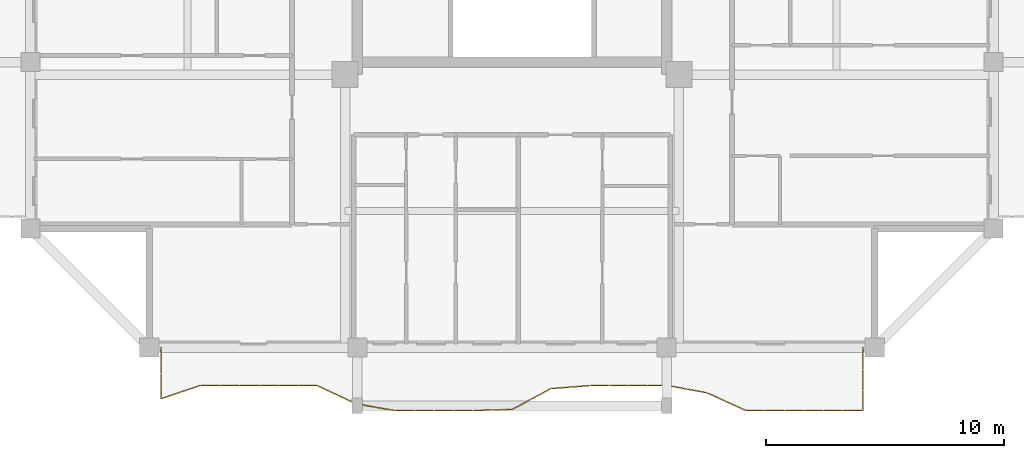
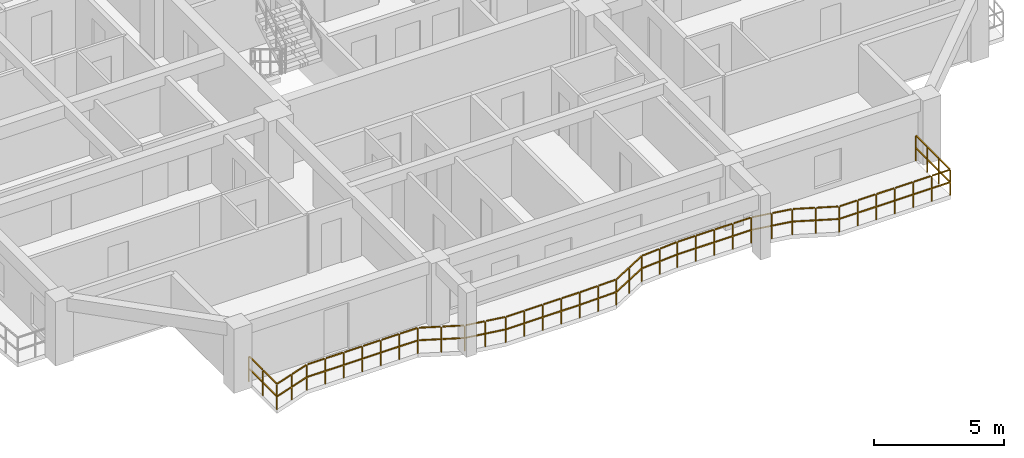
# One storey, part 9 of 13: 1 railing.
"""IFC4 building model written with IfcOpenShell, lengths in metres."""

import ifcopenshell
import ifcopenshell.guid

model = None  # the IFC model being written
_history = None  # IfcOwnerHistory: only IFC2X3 demands one
_inside = {}  # id of a spatial element -> (the spatial element, [elements in it])
_under = {}  # id of a project, library or spatial element -> (it, [spatial elements below it])
_declared = {}  # id of a project -> (the project, [libraries it declares])
_typed = {}  # id of a type object -> (the type object, [elements of that type])
_made_of = {}  # id of a material, layer set ... -> (it, [elements and type objects made of it])


def new_model(schema):
    """Start an empty IFC model of exactly this schema.

    Asked for "IFC4X3", IfcOpenShell would pick the latest addendum, in which some entities
    have other attributes; the version numbers below select the first issue.
    IFC2X3 requires an IfcOwnerHistory on every rooted entity: one is made here for all.
    """
    global model, _history
    if schema == "IFC4X3":
        model = ifcopenshell.file(schema_version=(4, 3, 0, 0))
    else:
        model = ifcopenshell.file(schema=schema)
    _inside.clear()
    _under.clear()
    _declared.clear()
    _typed.clear()
    _made_of.clear()
    _history = None
    if model.schema == "IFC2X3":
        org = make("IfcOrganization", Name="unknown")
        user = make(
            "IfcPersonAndOrganization",
            ThePerson=make("IfcPerson", FamilyName="unknown"),
            TheOrganization=org,
        )
        app = make(
            "IfcApplication",
            ApplicationDeveloper=org,
            Version="unknown",
            ApplicationFullName="unknown",
            ApplicationIdentifier="unknown",
        )
        _history = make(
            "IfcOwnerHistory",
            OwningUser=user,
            OwningApplication=app,
            ChangeAction="ADDED",
            CreationDate=0,
        )
    return model


def make(cls, **values):
    """One entity of the class cls with the attributes given. An attribute that is None is left unset."""
    return model.create_entity(
        cls, **{name: value for name, value in values.items() if value is not None}
    )


def rooted(cls, **values):
    """An entity with a GlobalId (a new one), such as an element, a storey or a relation."""
    return make(cls, GlobalId=ifcopenshell.guid.new(), OwnerHistory=_history, **values)


def si_unit(unit_type, name, prefix=None):
    """IfcSIUnit, for example si_unit("LENGTHUNIT", "METRE", prefix="MILLI")."""
    return make("IfcSIUnit", UnitType=unit_type, Prefix=prefix, Name=name)


def assignment(units):
    """IfcUnitAssignment: the units of a project."""
    return None if units is None else make("IfcUnitAssignment", Units=units)


def point(xyz):
    """IfcCartesianPoint."""
    return None if xyz is None else make("IfcCartesianPoint", Coordinates=xyz)


def direction(xyz):
    """IfcDirection."""
    return None if xyz is None else make("IfcDirection", DirectionRatios=xyz)


def frame(location, z_axis=None, x_axis=None):
    """IfcAxis2Placement3D, a coordinate frame: its origin and axes. An axis left out is left unset."""
    return make(
        "IfcAxis2Placement3D",
        Location=point(location),
        Axis=direction(z_axis),
        RefDirection=direction(x_axis),
    )


def frame_2d(location, x_axis=None):
    """IfcAxis2Placement2D, a coordinate frame in the plane: its origin and x axis."""
    return make(
        "IfcAxis2Placement2D", Location=point(location), RefDirection=direction(x_axis)
    )


def origin():
    """The frame at (0, 0, 0) with its axes left unset."""
    return frame((0.0, 0.0, 0.0))


def origin_2d():
    """The frame at (0, 0) in the plane with its x axis left unset."""
    return frame_2d((0.0, 0.0))


def place(relative_to, where):
    """IfcLocalPlacement: puts the frame where relative to a parent placement (None: the world)."""
    return make(
        "IfcLocalPlacement", PlacementRelTo=relative_to, RelativePlacement=where
    )


def context(
    kind, dimensions, precision=None, world=None, true_north=None, identifier=None
):
    """IfcGeometricRepresentationContext, for example the 3D "Model" context."""
    return make(
        "IfcGeometricRepresentationContext",
        ContextIdentifier=identifier,
        ContextType=kind,
        CoordinateSpaceDimension=dimensions,
        Precision=precision,
        WorldCoordinateSystem=world,
        TrueNorth=true_north,
    )


def subcontext(parent, identifier, kind, view, scale=None):
    """IfcGeometricRepresentationSubContext, for example "Body" below "Model"."""
    return make(
        "IfcGeometricRepresentationSubContext",
        ContextIdentifier=identifier,
        ContextType=kind,
        ParentContext=parent,
        TargetScale=scale,
        TargetView=view,
    )


def project(units=None, contexts=None):
    """IfcProject with its units and contexts."""
    return rooted(
        "IfcProject",
        Name="project",
        RepresentationContexts=contexts,
        UnitsInContext=assignment(units),
    )


def spatial(cls, under=None, at=None, **own):
    """A site, building, storey or space (cls), placed at a placement, below another one or the project."""
    s = rooted(cls, ObjectPlacement=at, **own)
    if under is not None:
        _under.setdefault(under.id(), (under, []))[1].append(s)
    return s


def profile(cls, at=None, kind="AREA", **sizes):
    """A parametric profile (cls). Its sizes go by their IFC names, for example OverallWidth=200.0."""
    return make(cls, ProfileType=kind, Position=at, **sizes)


def rectangle(**sizes):
    """IfcRectangleProfileDef."""
    return profile("IfcRectangleProfileDef", **sizes)


def extrude(swept, where, along, depth):
    """IfcExtrudedAreaSolid: the profile swept, set in the frame where, extruded along a direction by depth."""
    return make(
        "IfcExtrudedAreaSolid",
        SweptArea=swept,
        Position=where,
        ExtrudedDirection=direction(along),
        Depth=depth,
    )


def shape(context_of_items, identifier, shape_type, items):
    """IfcShapeRepresentation: the items that make up one representation, for example the "Body"."""
    return make(
        "IfcShapeRepresentation",
        ContextOfItems=context_of_items,
        RepresentationIdentifier=identifier,
        RepresentationType=shape_type,
        Items=items,
    )


def material(Name=None, Category=None):
    """IfcMaterial."""
    return make("IfcMaterial", Name=Name, Category=Category)


def made_of(thing, what):
    """Note that an element or type object is made of a material, layer set ...; save() writes the relation."""
    if what is not None:
        _made_of.setdefault(what.id(), (what, []))[1].append(thing)
    return thing


def type_object(cls, material=None, **own):
    """A type object (cls), such as IfcWallType, which elements share."""
    return made_of(rooted(cls, **own), material)


def element(
    cls,
    number,
    at=None,
    inside=None,
    cuts=None,
    type_object=None,
    material=None,
    context=None,
    identifier="Body",
    shape_type=None,
    held_by="IfcProductDefinitionShape",
    body=None,
    shapes=None,
    **own,
):
    """One element of the class cls, such as IfcWall. Its Tag is "e" and its number.

    at: its placement. inside: the storey or other place that contains it. cuts: it is an
    opening in that element (IfcRelVoidsElement). A single representation is given by context,
    identifier, shape_type and body (its items); several are given by shapes. held_by: the class
    of the entity that holds the representations. save() writes the other relations.
    """
    e = rooted(cls, Tag="e%d" % number, ObjectPlacement=at, **own)
    if body is not None:
        shapes = [shape(context, identifier, shape_type, body)]
    if shapes is not None:
        e.Representation = make(held_by, Representations=shapes)
    if inside is not None:
        _inside.setdefault(inside.id(), (inside, []))[1].append(e)
    if cuts is not None:
        rooted(
            "IfcRelVoidsElement", RelatingBuildingElement=cuts, RelatedOpeningElement=e
        )
    if type_object is not None:
        _typed.setdefault(type_object.id(), (type_object, []))[1].append(e)
    return made_of(e, material)


def aggregate(whole, parts):
    """IfcRelAggregates: a whole, such as a stair, and the parts it consists of."""
    return rooted("IfcRelAggregates", RelatingObject=whole, RelatedObjects=parts)


def save(model, path):
    """Write the relations noted so far, then the file.

    IfcRelAggregates (storeys below a building ...), IfcRelContainedInSpatialStructure (elements
    in a storey), IfcRelDefinesByType, IfcRelAssociatesMaterial and IfcRelDeclares: one each for
    every whole, place, type object, material and project.
    """
    for whole, parts in _under.values():
        aggregate(whole, parts)
    for where, things in _inside.values():
        rooted(
            "IfcRelContainedInSpatialStructure",
            RelatedElements=things,
            RelatingStructure=where,
        )
    for kind, things in _typed.values():
        rooted("IfcRelDefinesByType", RelatedObjects=things, RelatingType=kind)
    for what, things in _made_of.values():
        rooted("IfcRelAssociatesMaterial", RelatedObjects=things, RelatingMaterial=what)
    for by, libraries in _declared.values():
        rooted("IfcRelDeclares", RelatingContext=by, RelatedDefinitions=libraries)
    model.write(path)


model = new_model("IFC4")

# Units and contexts
model_context = context("Model", 3, precision=1e-05, world=origin(), true_north=direction((0.0, 1.0)))
body_context = subcontext(model_context, "Body", "Model", "MODEL_VIEW")
ifc_project = project(units=[si_unit("LENGTHUNIT", "METRE"), si_unit("AREAUNIT", "SQUARE_METRE"), si_unit("VOLUMEUNIT", "CUBIC_METRE"), si_unit("PLANEANGLEUNIT", "RADIAN"), si_unit("MASSUNIT", "GRAM", prefix="KILO")], contexts=[model_context])

# Site, building, storey
site_placement = place(None, origin())
site = spatial("IfcSite", under=ifc_project, at=site_placement, CompositionType="ELEMENT")
building_placement = place(site_placement, origin())
building = spatial("IfcBuilding", under=site, at=building_placement, Name="Saelheon Loggia Tower", CompositionType="ELEMENT")
storey_placement = place(building_placement, frame((0.0, 0.0, 179.800048828125)))
storey = spatial("IfcBuildingStorey", under=building, at=storey_placement, Name="L56", CompositionType="ELEMENT", Elevation=179.800048828125)

# Railing
ifc_material = material(Name="Architectural Precast Concrete and Laminated Glass Guard", Category="concrete")
railing_type = type_object("IfcRailingType", Name="Guard_Loggia_RL_LOG", PredefinedType="BALUSTRADE", material=ifc_material)
railing_placement = place(storey_placement, frame((23.25, 6.0, 0.0)))
element("IfcRailing", 1, at=railing_placement, inside=storey, type_object=railing_type, Name="L56 South Loggia Balustrade", PredefinedType="BALUSTRADE", context=body_context, shape_type="SweptSolid", body=[
    extrude(rectangle(XDim=0.048095703125, YDim=0.048095703125, at=origin_2d()), frame((0.0, -0.033203125, 1.19580078125), z_axis=(0.0, -1.0, 0.0), x_axis=(1.0, 0.0, 0.0)), (0.0, 0.0, 1.0), 1.008544921875),
    extrude(rectangle(XDim=0.048095703125, YDim=0.048095703125, at=origin_2d()), frame((0.0, -0.033203125, 0.60986328125), z_axis=(0.0, -1.0, 0.0), x_axis=(1.0, 0.0, 0.0)), (0.0, 0.0, 1.0), 1.008544921875),
    extrude(rectangle(XDim=0.048095703125, YDim=0.048095703125, at=origin_2d()), frame((0.0, -1.108154296875, 1.19580078125), z_axis=(0.0, -1.0, 0.0), x_axis=(1.0, 0.0, 0.0)), (0.0, 0.0, 1.0), 1.008544921875),
    extrude(rectangle(XDim=0.048095703125, YDim=0.048095703125, at=origin_2d()), frame((0.0, -1.108154296875, 0.60986328125), z_axis=(0.0, -1.0, 0.0), x_axis=(1.0, 0.0, 0.0)), (0.0, 0.0, 1.0), 1.008544921875),
    extrude(rectangle(XDim=0.048095703125, YDim=0.048095703125, at=origin_2d()), frame((0.031494140625, -2.139404296875, 1.19580078125), z_axis=(0.948074261435, 0.318049044652, 0.0), x_axis=(-0.318049044652, 0.948074261435, 0.0)), (0.0, 0.0, 1.0), 0.7978515625),
    extrude(rectangle(XDim=0.048095703125, YDim=0.048095703125, at=origin_2d()), frame((0.031494140625, -2.139404296875, 0.60986328125), z_axis=(0.948074261435, 0.318049044652, 0.0), x_axis=(-0.318049044652, 0.948074261435, 0.0)), (0.0, 0.0, 1.0), 0.7978515625),
    extrude(rectangle(XDim=0.048095703125, YDim=0.048095703125, at=origin_2d()), frame((0.85107421875, -1.864501953125, 1.19580078125), z_axis=(0.948074261435, 0.318049044652, 0.0), x_axis=(-0.318049044652, 0.948074261435, 0.0)), (0.0, 0.0, 1.0), 0.7978515625),
    extrude(rectangle(XDim=0.048095703125, YDim=0.048095703125, at=origin_2d()), frame((0.85107421875, -1.864501953125, 0.60986328125), z_axis=(0.948074261435, 0.318049044652, 0.0), x_axis=(-0.318049044652, 0.948074261435, 0.0)), (0.0, 0.0, 1.0), 0.7978515625),
    extrude(rectangle(XDim=0.048095703125, YDim=0.048095703125, at=origin_2d()), frame((1.672119140625, -1.60009765625, 1.19580078125), z_axis=(1.0, 0.0, 0.0), x_axis=(0.0, 1.0, 0.0)), (0.0, 0.0, 1.0), 0.7529296875),
    extrude(rectangle(XDim=0.048095703125, YDim=0.048095703125, at=origin_2d()), frame((1.672119140625, -1.60009765625, 0.60986328125), z_axis=(1.0, 0.0, 0.0), x_axis=(0.0, 1.0, 0.0)), (0.0, 0.0, 1.0), 0.7529296875),
    extrude(rectangle(XDim=0.048095703125, YDim=0.048095703125, at=origin_2d()), frame((2.49169921875, -1.60009765625, 1.19580078125), z_axis=(1.0, 0.0, 0.0), x_axis=(0.0, 1.0, 0.0)), (0.0, 0.0, 1.0), 0.7529296875),
    extrude(rectangle(XDim=0.048095703125, YDim=0.048095703125, at=origin_2d()), frame((2.49169921875, -1.60009765625, 0.60986328125), z_axis=(1.0, 0.0, 0.0), x_axis=(0.0, 1.0, 0.0)), (0.0, 0.0, 1.0), 0.7529296875),
    extrude(rectangle(XDim=0.048095703125, YDim=0.048095703125, at=origin_2d()), frame((3.31103515625, -1.60009765625, 1.19580078125), z_axis=(1.0, 0.0, 0.0), x_axis=(0.0, 1.0, 0.0)), (0.0, 0.0, 1.0), 0.7529296875),
    extrude(rectangle(XDim=0.048095703125, YDim=0.048095703125, at=origin_2d()), frame((3.31103515625, -1.60009765625, 0.60986328125), z_axis=(1.0, 0.0, 0.0), x_axis=(0.0, 1.0, 0.0)), (0.0, 0.0, 1.0), 0.7529296875),
    extrude(rectangle(XDim=0.048095703125, YDim=0.048095703125, at=origin_2d()), frame((4.130615234375, -1.60009765625, 1.19580078125), z_axis=(1.0, 0.0, 0.0), x_axis=(0.0, 1.0, 0.0)), (0.0, 0.0, 1.0), 0.7529296875),
    extrude(rectangle(XDim=0.048095703125, YDim=0.048095703125, at=origin_2d()), frame((4.130615234375, -1.60009765625, 0.60986328125), z_axis=(1.0, 0.0, 0.0), x_axis=(0.0, 1.0, 0.0)), (0.0, 0.0, 1.0), 0.7529296875),
    extrude(rectangle(XDim=0.048095703125, YDim=0.048095703125, at=origin_2d()), frame((4.949951171875, -1.60009765625, 1.19580078125), z_axis=(1.0, 0.0, 0.0), x_axis=(0.0, 1.0, 0.0)), (0.0, 0.0, 1.0), 0.7529296875),
    extrude(rectangle(XDim=0.048095703125, YDim=0.048095703125, at=origin_2d()), frame((4.949951171875, -1.60009765625, 0.60986328125), z_axis=(1.0, 0.0, 0.0), x_axis=(0.0, 1.0, 0.0)), (0.0, 0.0, 1.0), 0.7529296875),
    extrude(rectangle(XDim=0.048095703125, YDim=0.048095703125, at=origin_2d()), frame((5.76953125, -1.60009765625, 1.19580078125), z_axis=(1.0, 0.0, 0.0), x_axis=(0.0, 1.0, 0.0)), (0.0, 0.0, 1.0), 0.7529296875),
    extrude(rectangle(XDim=0.048095703125, YDim=0.048095703125, at=origin_2d()), frame((5.76953125, -1.60009765625, 0.60986328125), z_axis=(1.0, 0.0, 0.0), x_axis=(0.0, 1.0, 0.0)), (0.0, 0.0, 1.0), 0.7529296875),
    extrude(rectangle(XDim=0.048095703125, YDim=0.048095703125, at=origin_2d()), frame((6.585693359375, -1.614013671875, 1.19580078125), z_axis=(0.90645551616, -0.422301310941, 0.0), x_axis=(0.422301310941, 0.90645551616, 0.0)), (0.0, 0.0, 1.0), 0.83740234375),
    extrude(rectangle(XDim=0.048095703125, YDim=0.048095703125, at=origin_2d()), frame((6.585693359375, -1.614013671875, 0.60986328125), z_axis=(0.90645551616, -0.422301310941, 0.0), x_axis=(0.422301310941, 0.90645551616, 0.0)), (0.0, 0.0, 1.0), 0.83740234375),
    extrude(rectangle(XDim=0.048095703125, YDim=0.048095703125, at=origin_2d()), frame((7.405029296875, -1.995849609375, 1.19580078125), z_axis=(0.90645551616, -0.422301310941, 0.0), x_axis=(0.422301310941, 0.90645551616, 0.0)), (0.0, 0.0, 1.0), 0.83740234375),
    extrude(rectangle(XDim=0.048095703125, YDim=0.048095703125, at=origin_2d()), frame((7.405029296875, -1.995849609375, 0.60986328125), z_axis=(0.90645551616, -0.422301310941, 0.0), x_axis=(0.422301310941, 0.90645551616, 0.0)), (0.0, 0.0, 1.0), 0.83740234375),
    extrude(rectangle(XDim=0.048095703125, YDim=0.048095703125, at=origin_2d()), frame((8.22705078125, -2.369140625, 1.19580078125), z_axis=(0.985074661812, -0.172127599926, 0.0), x_axis=(0.172127599926, 0.985074661812, 0.0)), (0.0, 0.0, 1.0), 0.765380859375),
    extrude(rectangle(XDim=0.048095703125, YDim=0.048095703125, at=origin_2d()), frame((8.22705078125, -2.369140625, 0.60986328125), z_axis=(0.985074661812, -0.172127599926, 0.0), x_axis=(0.172127599926, 0.985074661812, 0.0)), (0.0, 0.0, 1.0), 0.765380859375),
    extrude(rectangle(XDim=0.048095703125, YDim=0.048095703125, at=origin_2d()), frame((9.046630859375, -2.512451171875, 1.19580078125), z_axis=(0.985074661812, -0.172127599926, 0.0), x_axis=(0.172127599926, 0.985074661812, 0.0)), (0.0, 0.0, 1.0), 0.765380859375),
    extrude(rectangle(XDim=0.048095703125, YDim=0.048095703125, at=origin_2d()), frame((9.046630859375, -2.512451171875, 0.60986328125), z_axis=(0.985074661812, -0.172127599926, 0.0), x_axis=(0.172127599926, 0.985074661812, 0.0)), (0.0, 0.0, 1.0), 0.765380859375),
    extrude(rectangle(XDim=0.048095703125, YDim=0.048095703125, at=origin_2d()), frame((9.866455078125, -2.64990234375, 1.19580078125), z_axis=(1.0, 0.0, 0.0), x_axis=(0.0, 1.0, 0.0)), (0.0, 0.0, 1.0), 0.7529296875),
    extrude(rectangle(XDim=0.048095703125, YDim=0.048095703125, at=origin_2d()), frame((9.866455078125, -2.64990234375, 0.60986328125), z_axis=(1.0, 0.0, 0.0), x_axis=(0.0, 1.0, 0.0)), (0.0, 0.0, 1.0), 0.7529296875),
    extrude(rectangle(XDim=0.048095703125, YDim=0.048095703125, at=origin_2d()), frame((10.68603515625, -2.64990234375, 1.19580078125), z_axis=(1.0, 0.0, 0.0), x_axis=(0.0, 1.0, 0.0)), (0.0, 0.0, 1.0), 0.7529296875),
    extrude(rectangle(XDim=0.048095703125, YDim=0.048095703125, at=origin_2d()), frame((10.68603515625, -2.64990234375, 0.60986328125), z_axis=(1.0, 0.0, 0.0), x_axis=(0.0, 1.0, 0.0)), (0.0, 0.0, 1.0), 0.7529296875),
    extrude(rectangle(XDim=0.048095703125, YDim=0.048095703125, at=origin_2d()), frame((11.50537109375, -2.64990234375, 1.19580078125), z_axis=(1.0, 0.0, 0.0), x_axis=(0.0, 1.0, 0.0)), (0.0, 0.0, 1.0), 0.7529296875),
    extrude(rectangle(XDim=0.048095703125, YDim=0.048095703125, at=origin_2d()), frame((11.50537109375, -2.64990234375, 0.60986328125), z_axis=(1.0, 0.0, 0.0), x_axis=(0.0, 1.0, 0.0)), (0.0, 0.0, 1.0), 0.7529296875),
    extrude(rectangle(XDim=0.048095703125, YDim=0.048095703125, at=origin_2d()), frame((12.324951171875, -2.64990234375, 1.19580078125), z_axis=(1.0, 0.0, 0.0), x_axis=(0.0, 1.0, 0.0)), (0.0, 0.0, 1.0), 0.7529296875),
    extrude(rectangle(XDim=0.048095703125, YDim=0.048095703125, at=origin_2d()), frame((12.324951171875, -2.64990234375, 0.60986328125), z_axis=(1.0, 0.0, 0.0), x_axis=(0.0, 1.0, 0.0)), (0.0, 0.0, 1.0), 0.7529296875),
    extrude(rectangle(XDim=0.048095703125, YDim=0.048095703125, at=origin_2d()), frame((13.144287109375, -2.64892578125, 1.19580078125), z_axis=(0.999595480128, 0.028440747312, 0.0), x_axis=(-0.028440747312, 0.999595480128, 0.0)), (0.0, 0.0, 1.0), 0.75341796875),
    extrude(rectangle(XDim=0.048095703125, YDim=0.048095703125, at=origin_2d()), frame((13.144287109375, -2.64892578125, 0.60986328125), z_axis=(0.999595480128, 0.028440747312, 0.0), x_axis=(-0.028440747312, 0.999595480128, 0.0)), (0.0, 0.0, 1.0), 0.75341796875),
    extrude(rectangle(XDim=0.048095703125, YDim=0.048095703125, at=origin_2d()), frame((13.9638671875, -2.625732421875, 1.19580078125), z_axis=(0.999595480128, 0.028440747312, 0.0), x_axis=(-0.028440747312, 0.999595480128, 0.0)), (0.0, 0.0, 1.0), 0.75341796875),
    extrude(rectangle(XDim=0.048095703125, YDim=0.048095703125, at=origin_2d()), frame((13.9638671875, -2.625732421875, 0.60986328125), z_axis=(0.999595480128, 0.028440747312, 0.0), x_axis=(-0.028440747312, 0.999595480128, 0.0)), (0.0, 0.0, 1.0), 0.75341796875),
    extrude(rectangle(XDim=0.048095703125, YDim=0.048095703125, at=origin_2d()), frame((14.779296875, -2.587646484375, 1.19580078125), z_axis=(0.882149151699, 0.47097014147, 0.0), x_axis=(-0.47097014147, 0.882149151699, 0.0)), (0.0, 0.0, 1.0), 0.862548828125),
    extrude(rectangle(XDim=0.048095703125, YDim=0.048095703125, at=origin_2d()), frame((14.779296875, -2.587646484375, 0.60986328125), z_axis=(0.882149151699, 0.47097014147, 0.0), x_axis=(-0.47097014147, 0.882149151699, 0.0)), (0.0, 0.0, 1.0), 0.862548828125),
    extrude(rectangle(XDim=0.048095703125, YDim=0.048095703125, at=origin_2d()), frame((15.598876953125, -2.150146484375, 1.19580078125), z_axis=(0.882149151699, 0.47097014147, 0.0), x_axis=(-0.47097014147, 0.882149151699, 0.0)), (0.0, 0.0, 1.0), 0.862548828125),
    extrude(rectangle(XDim=0.048095703125, YDim=0.048095703125, at=origin_2d()), frame((15.598876953125, -2.150146484375, 0.60986328125), z_axis=(0.882149151699, 0.47097014147, 0.0), x_axis=(-0.47097014147, 0.882149151699, 0.0)), (0.0, 0.0, 1.0), 0.862548828125),
    extrude(rectangle(XDim=0.048095703125, YDim=0.048095703125, at=origin_2d()), frame((16.422119140625, -1.7255859375, 1.19580078125), z_axis=(0.99695583149, 0.07796839141, 0.0), x_axis=(-0.07796839141, 0.99695583149, 0.0)), (0.0, 0.0, 1.0), 0.75537109375),
    extrude(rectangle(XDim=0.048095703125, YDim=0.048095703125, at=origin_2d()), frame((16.422119140625, -1.7255859375, 0.60986328125), z_axis=(0.99695583149, 0.07796839141, 0.0), x_axis=(-0.07796839141, 0.99695583149, 0.0)), (0.0, 0.0, 1.0), 0.75537109375),
    extrude(rectangle(XDim=0.048095703125, YDim=0.048095703125, at=origin_2d()), frame((17.241455078125, -1.66162109375, 1.19580078125), z_axis=(0.99695583149, 0.07796839141, 0.0), x_axis=(-0.07796839141, 0.99695583149, 0.0)), (0.0, 0.0, 1.0), 0.75537109375),
    extrude(rectangle(XDim=0.048095703125, YDim=0.048095703125, at=origin_2d()), frame((17.241455078125, -1.66162109375, 0.60986328125), z_axis=(0.99695583149, 0.07796839141, 0.0), x_axis=(-0.07796839141, 0.99695583149, 0.0)), (0.0, 0.0, 1.0), 0.75537109375),
    extrude(rectangle(XDim=0.048095703125, YDim=0.048095703125, at=origin_2d()), frame((18.06103515625, -1.60009765625, 1.19580078125), z_axis=(1.0, 0.0, 0.0), x_axis=(0.0, 1.0, 0.0)), (0.0, 0.0, 1.0), 0.7529296875),
    extrude(rectangle(XDim=0.048095703125, YDim=0.048095703125, at=origin_2d()), frame((18.06103515625, -1.60009765625, 0.60986328125), z_axis=(1.0, 0.0, 0.0), x_axis=(0.0, 1.0, 0.0)), (0.0, 0.0, 1.0), 0.7529296875),
    extrude(rectangle(XDim=0.048095703125, YDim=0.048095703125, at=origin_2d()), frame((18.880615234375, -1.60009765625, 1.19580078125), z_axis=(1.0, 0.0, 0.0), x_axis=(0.0, 1.0, 0.0)), (0.0, 0.0, 1.0), 0.7529296875),
    extrude(rectangle(XDim=0.048095703125, YDim=0.048095703125, at=origin_2d()), frame((18.880615234375, -1.60009765625, 0.60986328125), z_axis=(1.0, 0.0, 0.0), x_axis=(0.0, 1.0, 0.0)), (0.0, 0.0, 1.0), 0.7529296875),
    extrude(rectangle(XDim=0.048095703125, YDim=0.048095703125, at=origin_2d()), frame((19.699951171875, -1.60009765625, 1.19580078125), z_axis=(1.0, 0.0, 0.0), x_axis=(0.0, 1.0, 0.0)), (0.0, 0.0, 1.0), 0.7529296875),
    extrude(rectangle(XDim=0.048095703125, YDim=0.048095703125, at=origin_2d()), frame((19.699951171875, -1.60009765625, 0.60986328125), z_axis=(1.0, 0.0, 0.0), x_axis=(0.0, 1.0, 0.0)), (0.0, 0.0, 1.0), 0.7529296875),
    extrude(rectangle(XDim=0.048095703125, YDim=0.048095703125, at=origin_2d()), frame((20.51953125, -1.60009765625, 1.19580078125), z_axis=(1.0, 0.0, 0.0), x_axis=(0.0, 1.0, 0.0)), (0.0, 0.0, 1.0), 0.7529296875),
    extrude(rectangle(XDim=0.048095703125, YDim=0.048095703125, at=origin_2d()), frame((20.51953125, -1.60009765625, 0.60986328125), z_axis=(1.0, 0.0, 0.0), x_axis=(0.0, 1.0, 0.0)), (0.0, 0.0, 1.0), 0.7529296875),
    extrude(rectangle(XDim=0.048095703125, YDim=0.048095703125, at=origin_2d()), frame((21.33837890625, -1.606201171875, 1.19580078125), z_axis=(0.983254793894, -0.182236138797, 0.0), x_axis=(0.182236138797, 0.983254793894, 0.0)), (0.0, 0.0, 1.0), 0.766845703125),
    extrude(rectangle(XDim=0.048095703125, YDim=0.048095703125, at=origin_2d()), frame((21.33837890625, -1.606201171875, 0.60986328125), z_axis=(0.983254793894, -0.182236138797, 0.0), x_axis=(0.182236138797, 0.983254793894, 0.0)), (0.0, 0.0, 1.0), 0.766845703125),
    extrude(rectangle(XDim=0.048095703125, YDim=0.048095703125, at=origin_2d()), frame((22.15771484375, -1.758056640625, 1.19580078125), z_axis=(0.983254793894, -0.182236138797, 0.0), x_axis=(0.182236138797, 0.983254793894, 0.0)), (0.0, 0.0, 1.0), 0.766845703125),
    extrude(rectangle(XDim=0.048095703125, YDim=0.048095703125, at=origin_2d()), frame((22.15771484375, -1.758056640625, 0.60986328125), z_axis=(0.983254793894, -0.182236138797, 0.0), x_axis=(0.182236138797, 0.983254793894, 0.0)), (0.0, 0.0, 1.0), 0.766845703125),
    extrude(rectangle(XDim=0.048095703125, YDim=0.048095703125, at=origin_2d()), frame((22.974609375, -1.91748046875, 1.19580078125), z_axis=(0.910129532668, -0.414323827176, 0.0), x_axis=(0.414323827176, 0.910129532668, 0.0)), (0.0, 0.0, 1.0), 0.833984375),
    extrude(rectangle(XDim=0.048095703125, YDim=0.048095703125, at=origin_2d()), frame((22.974609375, -1.91748046875, 0.60986328125), z_axis=(0.910129532668, -0.414323827176, 0.0), x_axis=(0.414323827176, 0.910129532668, 0.0)), (0.0, 0.0, 1.0), 0.833984375),
    extrude(rectangle(XDim=0.048095703125, YDim=0.048095703125, at=origin_2d()), frame((23.7939453125, -2.29052734375, 1.19580078125), z_axis=(0.910129532668, -0.414323827176, 0.0), x_axis=(0.414323827176, 0.910129532668, 0.0)), (0.0, 0.0, 1.0), 0.833984375),
    extrude(rectangle(XDim=0.048095703125, YDim=0.048095703125, at=origin_2d()), frame((23.7939453125, -2.29052734375, 0.60986328125), z_axis=(0.910129532668, -0.414323827176, 0.0), x_axis=(0.414323827176, 0.910129532668, 0.0)), (0.0, 0.0, 1.0), 0.833984375),
    extrude(rectangle(XDim=0.048095703125, YDim=0.048095703125, at=origin_2d()), frame((24.616455078125, -2.64990234375, 1.19580078125), z_axis=(1.0, 0.0, 0.0), x_axis=(0.0, 1.0, 0.0)), (0.0, 0.0, 1.0), 0.7529296875),
    extrude(rectangle(XDim=0.048095703125, YDim=0.048095703125, at=origin_2d()), frame((24.616455078125, -2.64990234375, 0.60986328125), z_axis=(1.0, 0.0, 0.0), x_axis=(0.0, 1.0, 0.0)), (0.0, 0.0, 1.0), 0.7529296875),
    extrude(rectangle(XDim=0.048095703125, YDim=0.048095703125, at=origin_2d()), frame((25.43603515625, -2.64990234375, 1.19580078125), z_axis=(1.0, 0.0, 0.0), x_axis=(0.0, 1.0, 0.0)), (0.0, 0.0, 1.0), 0.7529296875),
    extrude(rectangle(XDim=0.048095703125, YDim=0.048095703125, at=origin_2d()), frame((25.43603515625, -2.64990234375, 0.60986328125), z_axis=(1.0, 0.0, 0.0), x_axis=(0.0, 1.0, 0.0)), (0.0, 0.0, 1.0), 0.7529296875),
    extrude(rectangle(XDim=0.048095703125, YDim=0.048095703125, at=origin_2d()), frame((26.25537109375, -2.64990234375, 1.19580078125), z_axis=(1.0, 0.0, 0.0), x_axis=(0.0, 1.0, 0.0)), (0.0, 0.0, 1.0), 0.7529296875),
    extrude(rectangle(XDim=0.048095703125, YDim=0.048095703125, at=origin_2d()), frame((26.25537109375, -2.64990234375, 0.60986328125), z_axis=(1.0, 0.0, 0.0), x_axis=(0.0, 1.0, 0.0)), (0.0, 0.0, 1.0), 0.7529296875),
    extrude(rectangle(XDim=0.048095703125, YDim=0.048095703125, at=origin_2d()), frame((27.074951171875, -2.64990234375, 1.19580078125), z_axis=(1.0, 0.0, 0.0), x_axis=(0.0, 1.0, 0.0)), (0.0, 0.0, 1.0), 0.7529296875),
    extrude(rectangle(XDim=0.048095703125, YDim=0.048095703125, at=origin_2d()), frame((27.074951171875, -2.64990234375, 0.60986328125), z_axis=(1.0, 0.0, 0.0), x_axis=(0.0, 1.0, 0.0)), (0.0, 0.0, 1.0), 0.7529296875),
    extrude(rectangle(XDim=0.048095703125, YDim=0.048095703125, at=origin_2d()), frame((27.894287109375, -2.64990234375, 1.19580078125), z_axis=(1.0, 0.0, 0.0), x_axis=(0.0, 1.0, 0.0)), (0.0, 0.0, 1.0), 0.7529296875),
    extrude(rectangle(XDim=0.048095703125, YDim=0.048095703125, at=origin_2d()), frame((27.894287109375, -2.64990234375, 0.60986328125), z_axis=(1.0, 0.0, 0.0), x_axis=(0.0, 1.0, 0.0)), (0.0, 0.0, 1.0), 0.7529296875),
    extrude(rectangle(XDim=0.048095703125, YDim=0.048095703125, at=origin_2d()), frame((28.7138671875, -2.64990234375, 1.19580078125), z_axis=(1.0, 0.0, 0.0), x_axis=(0.0, 1.0, 0.0)), (0.0, 0.0, 1.0), 0.7529296875),
    extrude(rectangle(XDim=0.048095703125, YDim=0.048095703125, at=origin_2d()), frame((28.7138671875, -2.64990234375, 0.60986328125), z_axis=(1.0, 0.0, 0.0), x_axis=(0.0, 1.0, 0.0)), (0.0, 0.0, 1.0), 0.7529296875),
    extrude(rectangle(XDim=0.048095703125, YDim=0.048095703125, at=origin_2d()), frame((29.5, -2.61669921875, 1.19580078125), z_axis=(0.0, 1.0, 0.0), x_axis=(-1.0, 0.0, 0.0)), (0.0, 0.0, 1.0), 0.81689453125),
    extrude(rectangle(XDim=0.048095703125, YDim=0.048095703125, at=origin_2d()), frame((29.5, -2.61669921875, 0.60986328125), z_axis=(0.0, 1.0, 0.0), x_axis=(-1.0, 0.0, 0.0)), (0.0, 0.0, 1.0), 0.81689453125),
    extrude(rectangle(XDim=0.048095703125, YDim=0.048095703125, at=origin_2d()), frame((29.5, -1.7333984375, 1.19580078125), z_axis=(0.0, 1.0, 0.0), x_axis=(-1.0, 0.0, 0.0)), (0.0, 0.0, 1.0), 0.81689453125),
    extrude(rectangle(XDim=0.048095703125, YDim=0.048095703125, at=origin_2d()), frame((29.5, -1.7333984375, 0.60986328125), z_axis=(0.0, 1.0, 0.0), x_axis=(-1.0, 0.0, 0.0)), (0.0, 0.0, 1.0), 0.81689453125),
    extrude(rectangle(XDim=0.048095703125, YDim=0.048095703125, at=origin_2d()), frame((29.5, -0.85009765625, 1.19580078125), z_axis=(0.0, 1.0, 0.0), x_axis=(-1.0, 0.0, 0.0)), (0.0, 0.0, 1.0), 0.81689453125),
    extrude(rectangle(XDim=0.048095703125, YDim=0.048095703125, at=origin_2d()), frame((29.5, -0.85009765625, 0.60986328125), z_axis=(0.0, 1.0, 0.0), x_axis=(-1.0, 0.0, 0.0)), (0.0, 0.0, 1.0), 0.81689453125),
    extrude(rectangle(XDim=0.0419921875, YDim=0.0419921875, at=origin_2d()), origin(), (0.0, 0.0, 1.0), 1.16796875),
    extrude(rectangle(XDim=0.0419921875, YDim=0.0419921875, at=origin_2d()), frame((0.0, -1.074951171875, 0.0)), (0.0, 0.0, 1.0), 1.16796875),
    extrude(rectangle(XDim=0.0419921875, YDim=0.0419921875, at=origin_2d()), frame((0.0, -2.14990234375, 0.0)), (0.0, 0.0, 1.0), 1.16796875),
    extrude(rectangle(XDim=0.0419921875, YDim=0.0419921875, at=origin_2d()), frame((0.8193359375, -1.875, 0.0)), (0.0, 0.0, 1.0), 1.16796875),
    extrude(rectangle(XDim=0.0419921875, YDim=0.0419921875, at=origin_2d()), frame((1.638916015625, -1.60009765625, 0.0)), (0.0, 0.0, 1.0), 1.16796875),
    extrude(rectangle(XDim=0.0419921875, YDim=0.0419921875, at=origin_2d()), frame((2.45849609375, -1.60009765625, 0.0)), (0.0, 0.0, 1.0), 1.16796875),
    extrude(rectangle(XDim=0.0419921875, YDim=0.0419921875, at=origin_2d()), frame((3.27783203125, -1.60009765625, 0.0)), (0.0, 0.0, 1.0), 1.16796875),
    extrude(rectangle(XDim=0.0419921875, YDim=0.0419921875, at=origin_2d()), frame((4.09716796875, -1.60009765625, 0.0)), (0.0, 0.0, 1.0), 1.16796875),
    extrude(rectangle(XDim=0.0419921875, YDim=0.0419921875, at=origin_2d()), frame((4.916748046875, -1.60009765625, 0.0)), (0.0, 0.0, 1.0), 1.16796875),
    extrude(rectangle(XDim=0.0419921875, YDim=0.0419921875, at=origin_2d()), frame((5.736328125, -1.60009765625, 0.0)), (0.0, 0.0, 1.0), 1.16796875),
    extrude(rectangle(XDim=0.0419921875, YDim=0.0419921875, at=origin_2d()), frame((6.5556640625, -1.60009765625, 0.0)), (0.0, 0.0, 1.0), 1.16796875),
    extrude(rectangle(XDim=0.0419921875, YDim=0.0419921875, at=origin_2d()), frame((7.375, -1.98193359375, 0.0)), (0.0, 0.0, 1.0), 1.16796875),
    extrude(rectangle(XDim=0.0419921875, YDim=0.0419921875, at=origin_2d()), frame((8.1943359375, -2.363525390625, 0.0)), (0.0, 0.0, 1.0), 1.16796875),
    extrude(rectangle(XDim=0.0419921875, YDim=0.0419921875, at=origin_2d()), frame((9.013671875, -2.5068359375, 0.0)), (0.0, 0.0, 1.0), 1.16796875),
    extrude(rectangle(XDim=0.0419921875, YDim=0.0419921875, at=origin_2d()), frame((9.833251953125, -2.64990234375, 0.0)), (0.0, 0.0, 1.0), 1.16796875),
    extrude(rectangle(XDim=0.0419921875, YDim=0.0419921875, at=origin_2d()), frame((10.65283203125, -2.64990234375, 0.0)), (0.0, 0.0, 1.0), 1.16796875),
    extrude(rectangle(XDim=0.0419921875, YDim=0.0419921875, at=origin_2d()), frame((11.47216796875, -2.64990234375, 0.0)), (0.0, 0.0, 1.0), 1.16796875),
    extrude(rectangle(XDim=0.0419921875, YDim=0.0419921875, at=origin_2d()), frame((12.29150390625, -2.64990234375, 0.0)), (0.0, 0.0, 1.0), 1.16796875),
    extrude(rectangle(XDim=0.0419921875, YDim=0.0419921875, at=origin_2d()), frame((13.111083984375, -2.64990234375, 0.0)), (0.0, 0.0, 1.0), 1.16796875),
    extrude(rectangle(XDim=0.0419921875, YDim=0.0419921875, at=origin_2d()), frame((13.9306640625, -2.62646484375, 0.0)), (0.0, 0.0, 1.0), 1.16796875),
    extrude(rectangle(XDim=0.0419921875, YDim=0.0419921875, at=origin_2d()), frame((14.75, -2.603271484375, 0.0)), (0.0, 0.0, 1.0), 1.16796875),
    extrude(rectangle(XDim=0.0419921875, YDim=0.0419921875, at=origin_2d()), frame((15.5693359375, -2.165771484375, 0.0)), (0.0, 0.0, 1.0), 1.16796875),
    extrude(rectangle(XDim=0.0419921875, YDim=0.0419921875, at=origin_2d()), frame((16.388916015625, -1.728271484375, 0.0)), (0.0, 0.0, 1.0), 1.16796875),
    extrude(rectangle(XDim=0.0419921875, YDim=0.0419921875, at=origin_2d()), frame((17.20849609375, -1.6640625, 0.0)), (0.0, 0.0, 1.0), 1.16796875),
    extrude(rectangle(XDim=0.0419921875, YDim=0.0419921875, at=origin_2d()), frame((18.02783203125, -1.60009765625, 0.0)), (0.0, 0.0, 1.0), 1.16796875),
    extrude(rectangle(XDim=0.0419921875, YDim=0.0419921875, at=origin_2d()), frame((18.84716796875, -1.60009765625, 0.0)), (0.0, 0.0, 1.0), 1.16796875),
    extrude(rectangle(XDim=0.0419921875, YDim=0.0419921875, at=origin_2d()), frame((19.666748046875, -1.60009765625, 0.0)), (0.0, 0.0, 1.0), 1.16796875),
    extrude(rectangle(XDim=0.0419921875, YDim=0.0419921875, at=origin_2d()), frame((20.486328125, -1.60009765625, 0.0)), (0.0, 0.0, 1.0), 1.16796875),
    extrude(rectangle(XDim=0.0419921875, YDim=0.0419921875, at=origin_2d()), frame((21.3056640625, -1.60009765625, 0.0)), (0.0, 0.0, 1.0), 1.16796875),
    extrude(rectangle(XDim=0.0419921875, YDim=0.0419921875, at=origin_2d()), frame((22.125, -1.751953125, 0.0)), (0.0, 0.0, 1.0), 1.16796875),
    extrude(rectangle(XDim=0.0419921875, YDim=0.0419921875, at=origin_2d()), frame((22.9443359375, -1.90380859375, 0.0)), (0.0, 0.0, 1.0), 1.16796875),
    extrude(rectangle(XDim=0.0419921875, YDim=0.0419921875, at=origin_2d()), frame((23.763671875, -2.27685546875, 0.0)), (0.0, 0.0, 1.0), 1.16796875),
    extrude(rectangle(XDim=0.0419921875, YDim=0.0419921875, at=origin_2d()), frame((24.583251953125, -2.64990234375, 0.0)), (0.0, 0.0, 1.0), 1.16796875),
    extrude(rectangle(XDim=0.0419921875, YDim=0.0419921875, at=origin_2d()), frame((25.40283203125, -2.64990234375, 0.0)), (0.0, 0.0, 1.0), 1.16796875),
    extrude(rectangle(XDim=0.0419921875, YDim=0.0419921875, at=origin_2d()), frame((26.22216796875, -2.64990234375, 0.0)), (0.0, 0.0, 1.0), 1.16796875),
    extrude(rectangle(XDim=0.0419921875, YDim=0.0419921875, at=origin_2d()), frame((27.04150390625, -2.64990234375, 0.0)), (0.0, 0.0, 1.0), 1.16796875),
    extrude(rectangle(XDim=0.0419921875, YDim=0.0419921875, at=origin_2d()), frame((27.861083984375, -2.64990234375, 0.0)), (0.0, 0.0, 1.0), 1.16796875),
    extrude(rectangle(XDim=0.0419921875, YDim=0.0419921875, at=origin_2d()), frame((28.6806640625, -2.64990234375, 0.0)), (0.0, 0.0, 1.0), 1.16796875),
    extrude(rectangle(XDim=0.0419921875, YDim=0.0419921875, at=origin_2d()), frame((29.5, -2.64990234375, 0.0)), (0.0, 0.0, 1.0), 1.16796875),
    extrude(rectangle(XDim=0.0419921875, YDim=0.0419921875, at=origin_2d()), frame((29.5, -1.7666015625, 0.0)), (0.0, 0.0, 1.0), 1.16796875),
    extrude(rectangle(XDim=0.0419921875, YDim=0.0419921875, at=origin_2d()), frame((29.5, -0.88330078125, 0.0)), (0.0, 0.0, 1.0), 1.16796875),
    extrude(rectangle(XDim=0.0419921875, YDim=0.0419921875, at=origin_2d()), frame((29.5, 0.0, 0.0)), (0.0, 0.0, 1.0), 1.16796875),
])

save(model, "model.ifc")
